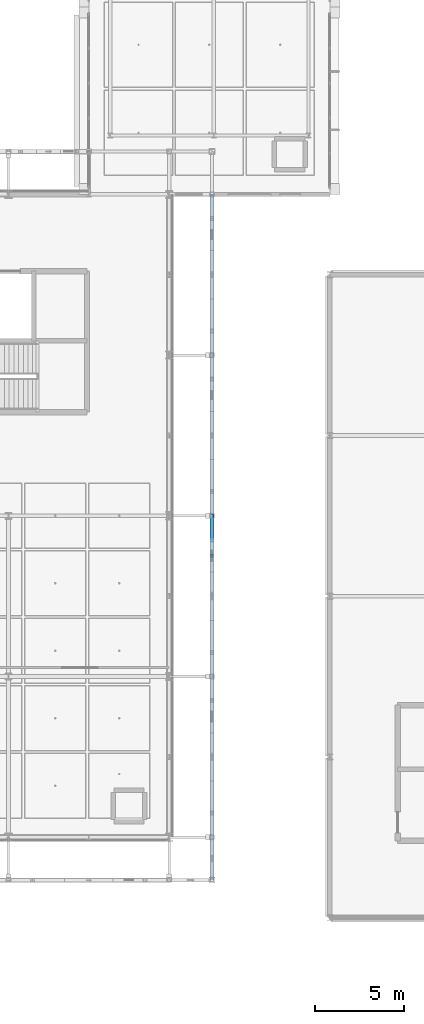
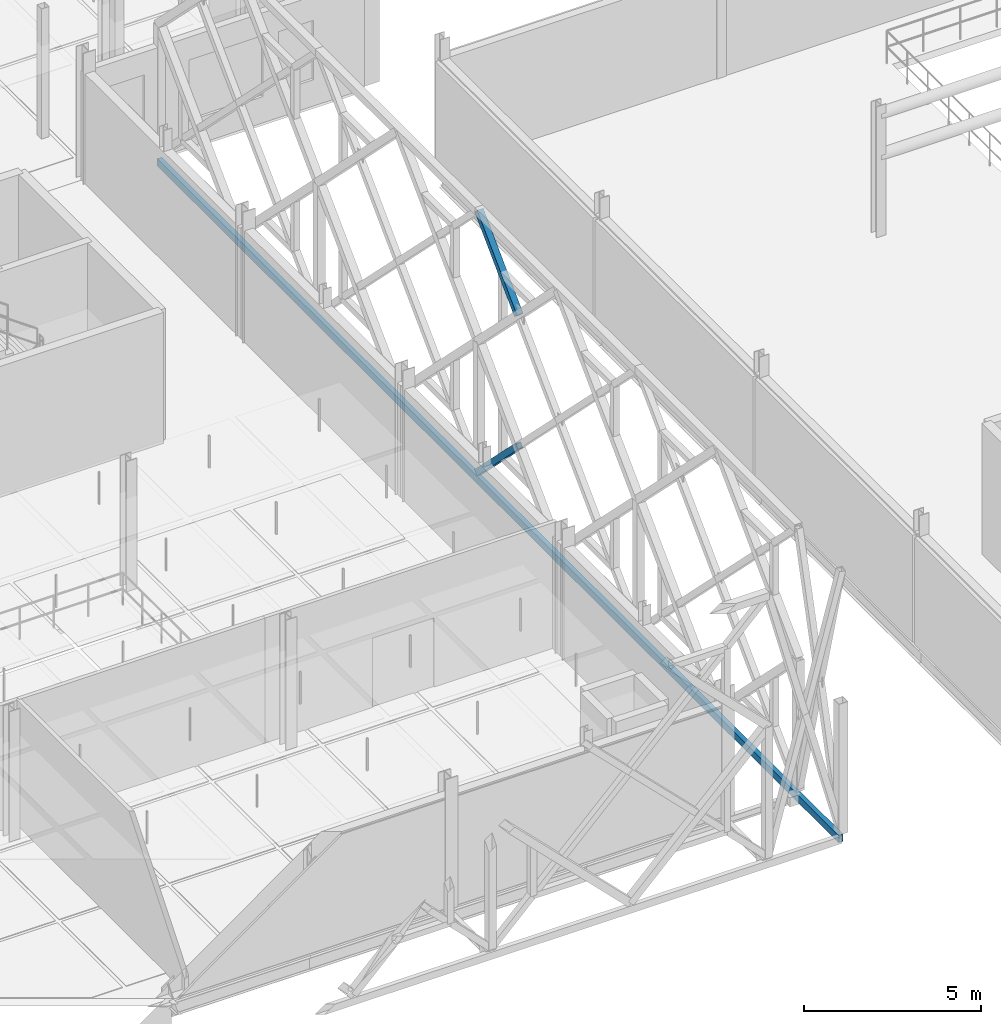
# One storey, part 35 of 140: 2 members, 1 beam.
"""IFC4 building model written with IfcOpenShell, lengths in metres."""

from ifc_helpers import new_model, si_unit, direction, frame, origin, origin_2d, place, context, subcontext, project, spatial, hollow_rectangle, extrude, material, material_profile, profile_set, type_object, element, save


model = new_model("IFC4")

# Units and contexts
model_context = context("Model", 3, precision=1e-05, world=origin(), true_north=direction((0.0, 1.0)))
body_context = subcontext(model_context, "Body", "Model", "MODEL_VIEW")
ifc_project = project(units=[si_unit("LENGTHUNIT", "METRE"), si_unit("AREAUNIT", "SQUARE_METRE"), si_unit("VOLUMEUNIT", "CUBIC_METRE"), si_unit("PLANEANGLEUNIT", "RADIAN"), si_unit("MASSUNIT", "GRAM", prefix="KILO"), si_unit("THERMODYNAMICTEMPERATUREUNIT", "KELVIN"), si_unit("POWERUNIT", "WATT")], contexts=[model_context])

# Site, building, storey
site_placement = place(None, origin())
site = spatial("IfcSite", under=ifc_project, at=site_placement, CompositionType="ELEMENT")
building_placement = place(site_placement, origin())
building = spatial("IfcBuilding", under=site, at=building_placement, Name="Tallowbark Science Centre", CompositionType="ELEMENT")
storey_placement = place(building_placement, frame((0.0, 0.0, 9.89990234375)))
storey = spatial("IfcBuildingStorey", under=building, at=storey_placement, Name="L02", CompositionType="ELEMENT", Elevation=9.89990234375)

# Members
ifc_material = material(Name="White Architectural Painted Steel Grade C350L0 (350 MPa)", Category="steel")
ifc_material_profile_1 = material_profile(ifc_material, hollow_rectangle(XDim=0.199951171875, YDim=0.199951171875, WallThickness=0.009033203125, at=origin_2d()), Name="200x200x9.0SHS")
ifc_profile_set_1 = profile_set([ifc_material_profile_1], Name="White Architectural Painted Steel Grade C350L0 (350 MPa)")
member_type = type_object("IfcMemberType", Name="SCR-STAR139", PredefinedType="BRACE", material=ifc_profile_set_1)
for number, where, z_axis, x_axis, name in (
    (1, (105.89990234375, 20.25, 6.75), (0.0, 0.707106781187, 0.707106781187), (-1.0, 0.0, 0.0), "Star Screen Continuous X-Diagonal D1B E-31"),
    (2, (105.89990234375, 20.25, 2.25), (0.0, 0.707106781187, -0.707106781187), (-1.0, 0.0, 0.0), "Star Screen Split X-Diagonal D2D E-31"),
):
    element("IfcMember", number, at=place(storey_placement, frame(where, z_axis=z_axis, x_axis=x_axis)), inside=storey, type_object=member_type, Name=name, PredefinedType="BRACE", context=body_context, shape_type="SweptSolid", body=[
        extrude(hollow_rectangle(XDim=0.199951171875, YDim=0.199951171875, WallThickness=0.009033203125, at=origin_2d()), origin(), (0.0, 0.0, 1.0), 3.181884765625),
    ])

# Beam
ifc_material_profile_2 = material_profile(ifc_material, hollow_rectangle(XDim=0.14990234375, YDim=0.25, WallThickness=0.009033203125, at=origin_2d()), Name="250x150x9.0RHS")
ifc_profile_set_2 = profile_set([ifc_material_profile_2], Name="White Architectural Painted Steel Grade C350L0 (350 MPa)")
beam_type = type_object("IfcBeamType", Name="SPN-RHS250", PredefinedType="SPANDREL", material=ifc_profile_set_2)
beam_placement = place(storey_placement, frame((105.89990234375, 2.10009765625, -0.25), z_axis=(0.0, 1.0, 0.0), x_axis=(-1.0, 0.0, 0.0)))
element("IfcBeam", 3, at=beam_placement, inside=storey, type_object=beam_type, Name="Star Screen Perimeter Ring Beam E-L02", PredefinedType="SPANDREL", context=body_context, shape_type="SweptSolid", body=[
    extrude(hollow_rectangle(XDim=0.14990234375, YDim=0.25, WallThickness=0.009033203125, at=origin_2d()), origin(), (0.0, 0.0, 1.0), 38.39990234375),
])

save(model, "model.ifc")
